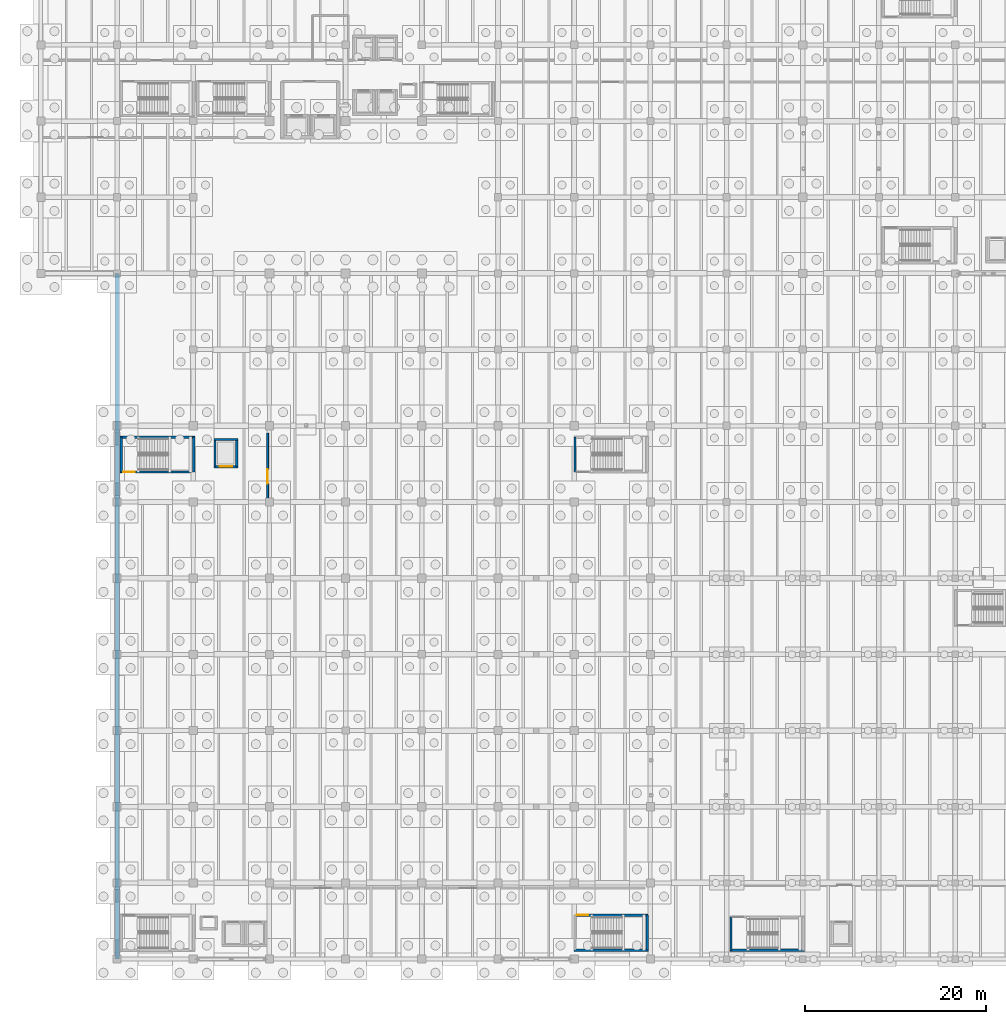
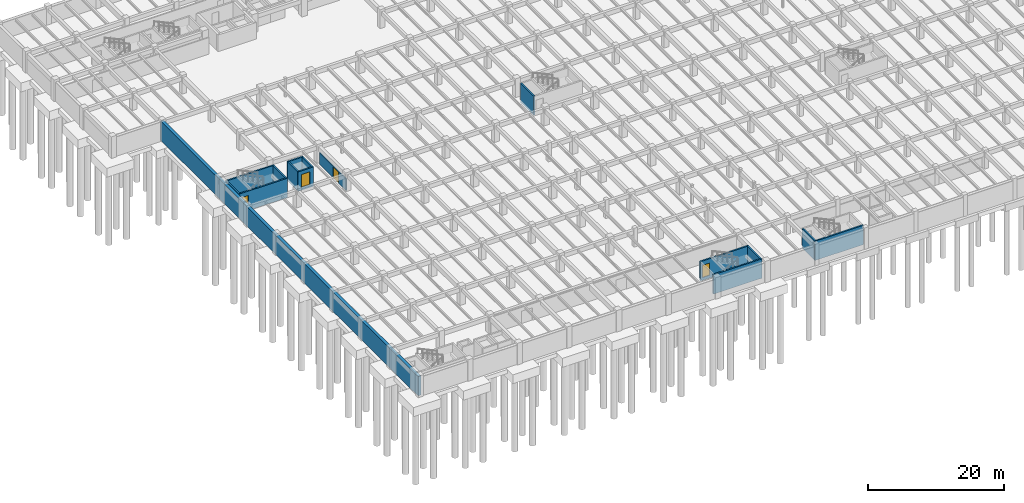
# One storey, part 42 of 70: 16 walls, 4 doors, 4 openings.
"""IFC4 building model written with IfcOpenShell, lengths in metres."""

from ifc_helpers import new_model, si_unit, direction, frame, frame_2d, origin, place, context, subcontext, project, spatial, rectangle, extrude, material, layer, layer_set, type_object, element, fill, save


model = new_model("IFC4")

# Units and contexts
model_context = context("Model", 3, precision=1e-05, world=origin(), true_north=direction((0.0, 1.0)))
body_context = subcontext(model_context, "Body", "Model", "MODEL_VIEW")
ifc_project = project(units=[si_unit("LENGTHUNIT", "METRE"), si_unit("AREAUNIT", "SQUARE_METRE"), si_unit("VOLUMEUNIT", "CUBIC_METRE"), si_unit("PLANEANGLEUNIT", "RADIAN"), si_unit("MASSUNIT", "GRAM", prefix="KILO")], contexts=[model_context])

# Site, building, storey
site_placement = place(None, origin())
site = spatial("IfcSite", under=ifc_project, at=site_placement, CompositionType="ELEMENT")
building_placement = place(site_placement, origin())
building = spatial("IfcBuilding", under=site, at=building_placement, Name="Cumbredor Promenade Congress Hotel", CompositionType="ELEMENT")
storey_placement = place(building_placement, frame((0.0, 0.0, -7.56005859375)))
storey = spatial("IfcBuildingStorey", under=building, at=storey_placement, Name="B02", CompositionType="ELEMENT", Elevation=-7.56005859375)

# Wall
ifc_material_1 = material(Name="Concrete C40/50", Category="concrete")
ifc_layer_1 = layer(ifc_material_1, 0.5, Name="Concrete C40/50", Category="concrete")
ifc_layer_set_1 = layer_set([ifc_layer_1], Name="Concrete C40/50")
wall_type_1 = type_object("IfcWallType", Name="Basement Retaining Wall 500mm", PredefinedType="USERDEFINED", material=ifc_layer_set_1)
wall_1_placement = place(storey_placement, frame((8.39990234375, 84.0, -0.5), z_axis=(0.0, 0.0, 1.0), x_axis=(0.0, -1.0, 0.0)))
element("IfcWall", 1, at=wall_1_placement, inside=storey, type_object=wall_type_1, Name="B02 Basement Retaining Wall RW-B02-08", ObjectType="RETAINING WALL", PredefinedType="USERDEFINED", context=body_context, shape_type="SweptSolid", body=[
    extrude(rectangle(XDim=75.60009765625, YDim=0.5, at=frame_2d((37.800048828125, 0.0))), origin(), (0.0, 0.0, 1.0), 3.4599609375),
])

# Wall, opening, door
ifc_layer_2 = layer(ifc_material_1, 0.199951171875, Name="Concrete C40/50", Category="concrete")
ifc_layer_set_2 = layer_set([ifc_layer_2], Name="Concrete C40/50")
wall_type_2 = type_object("IfcWallType", Name="WL-CORE-200", PredefinedType="SOLIDWALL", material=ifc_layer_set_2)
wall_2_placement = place(storey_placement, frame((25.0, 58.60009765625, 0.0), z_axis=(0.0, 0.0, 1.0), x_axis=(0.0, 1.0, 0.0)))
wall_2 = element("IfcWall", 2, at=wall_2_placement, inside=storey, type_object=wall_type_2, Name="B02 Interior Partition W-B02-ARCH-W", PredefinedType="SOLIDWALL", context=body_context, shape_type="SweptSolid", body=[
    extrude(rectangle(XDim=7.7998046875, YDim=0.199951171875, at=frame_2d((3.89990234375, 0.0))), origin(), (0.0, 0.0, 1.0), 2.094970703125),
])
opening_1_placement = place(wall_2_placement, frame((2.199951171875, 0.0, 0.0)))
opening_1 = element("IfcOpeningElement", 3, at=opening_1_placement, cuts=wall_2, Name="Opening FD-17", PredefinedType="OPENING", context=body_context, shape_type="SweptSolid", body=[
    extrude(rectangle(XDim=1.6201171875, YDim=2.02001953125, at=frame_2d((0.81005859375, 1.010009765625))), frame((0.0, 0.10986328125, 0.0), z_axis=(0.0, -1.0, 0.0), x_axis=(1.0, 0.0, 0.0)), (0.0, 0.0, 1.0), 0.219970703125),
])
ifc_material_2 = material(Name="Solid-core fire-rated tropical hardwood", Category="wood")
door_type_1 = type_object("IfcDoorType", Name="DR-DBL-FD60-1600-LO", OperationType="DOUBLE_DOOR_SINGLE_SWING", PredefinedType="DOOR", material=ifc_material_2)
door_1_placement = place(opening_1_placement, origin())
door_1 = element("IfcDoor", 4, at=door_1_placement, inside=storey, type_object=door_type_1, Name="B02 Interior Door W-B02-ARCH-W-01", OperationType="DOUBLE_DOOR_SINGLE_SWING", OverallHeight=2.02001953125, OverallWidth=1.6201171875, PredefinedType="DOOR", context=body_context, shape_type="SweptSolid", body=[
    extrude(rectangle(XDim=1.6201171875, YDim=2.02001953125, at=frame_2d((0.81005859375, 1.010009765625))), frame((0.0, 0.02490234375, 0.0), z_axis=(0.0, -1.0, 0.0), x_axis=(1.0, 0.0, 0.0)), (0.0, 0.0, 1.0), 0.050048828125),
])
fill(opening_1, door_1)

# Wall
ifc_layer_3 = layer(ifc_material_1, 0.2548828125, Name="Concrete C40/50", Category="concrete")
ifc_layer_set_3 = layer_set([ifc_layer_3], Name="Concrete C40/50")
wall_type_3 = type_object("IfcWallType", Name="WL-SHAFT-250", PredefinedType="SOLIDWALL", material=ifc_layer_set_3)
wall_3_placement = place(storey_placement, frame((58.75244140625, 9.3798828125, -0.5), z_axis=(0.0, 0.0, 1.0), x_axis=(1.0, 0.0, 0.0)))
element("IfcWall", 5, at=wall_3_placement, inside=storey, type_object=wall_type_3, Name="STAIR-ST-05-B02 Shaft Wall South", PredefinedType="SOLIDWALL", context=body_context, shape_type="SweptSolid", body=[
    extrude(rectangle(XDim=8.22509765625, YDim=0.2548828125, at=frame_2d((4.112548828125, 0.0))), origin(), (0.0, 0.0, 1.0), 3.4599609375),
])

# Wall, opening, door
wall_4_placement = place(storey_placement, frame((58.75244140625, 13.25, -0.5), z_axis=(0.0, 0.0, 1.0), x_axis=(1.0, 0.0, 0.0)))
wall_4 = element("IfcWall", 6, at=wall_4_placement, inside=storey, type_object=wall_type_3, Name="STAIR-ST-05-B02 Shaft Wall North", PredefinedType="SOLIDWALL", context=body_context, shape_type="SweptSolid", body=[
    extrude(rectangle(XDim=8.22509765625, YDim=0.2548828125, at=frame_2d((4.112548828125, 0.0))), origin(), (0.0, 0.0, 1.0), 3.4599609375),
])
opening_2_placement = place(wall_4_placement, frame((0.35009765625, 0.0, 0.5)))
opening_2 = element("IfcOpeningElement", 7, at=opening_2_placement, cuts=wall_4, Name="Opening SD-02", PredefinedType="OPENING", context=body_context, shape_type="SweptSolid", body=[
    extrude(rectangle(XDim=1.25, YDim=2.199951171875, at=frame_2d((0.625, 1.10009765625))), frame((0.0, 0.137451171875, 0.0), z_axis=(0.0, -1.0, 0.0), x_axis=(1.0, 0.0, 0.0)), (0.0, 0.0, 1.0), 0.27490234375),
])
ifc_material_3 = material(Name="Painted galvanized steel fire door", Category="steel")
door_type_2 = type_object("IfcDoorType", Name="DR-STAIR-FD90-1250", OperationType="NOTDEFINED", PredefinedType="DOOR", material=ifc_material_3)
door_2_placement = place(opening_2_placement, origin())
door_2 = element("IfcDoor", 8, at=door_2_placement, inside=storey, type_object=door_type_2, Name="B02 Protected Exit Stair ST-05 Door", OperationType="SINGLE_SWING_LEFT", OverallHeight=2.199951171875, OverallWidth=1.25, PredefinedType="DOOR", context=body_context, shape_type="SweptSolid", body=[
    extrude(rectangle(XDim=1.25, YDim=2.199951171875, at=frame_2d((0.625, 1.10009765625))), frame((0.0, 0.02490234375, 0.0), z_axis=(0.0, -1.0, 0.0), x_axis=(1.0, 0.0, 0.0)), (0.0, 0.0, 1.0), 0.050048828125),
])
fill(opening_2, door_2)

# Wall
wall_5_placement = place(storey_placement, frame((66.85009765625, 9.3798828125, -0.5), z_axis=(0.0, 0.0, 1.0), x_axis=(0.0, 1.0, 0.0)))
element("IfcWall", 9, at=wall_5_placement, inside=storey, type_object=wall_type_3, Name="STAIR-ST-05-B02 Shaft Wall East", PredefinedType="SOLIDWALL", context=body_context, shape_type="SweptSolid", body=[
    extrude(rectangle(XDim=3.8701171875, YDim=0.2548828125, at=frame_2d((1.93505859375, 0.0))), origin(), (0.0, 0.0, 1.0), 3.4599609375),
])

# Wall, opening, door
wall_6_placement = place(storey_placement, frame((8.75244140625, 62.10009765625, -0.5), z_axis=(0.0, 0.0, 1.0), x_axis=(1.0, 0.0, 0.0)))
wall_6 = element("IfcWall", 10, at=wall_6_placement, inside=storey, type_object=wall_type_3, Name="STAIR-ST-06-B02 Shaft Wall South", PredefinedType="SOLIDWALL", context=body_context, shape_type="SweptSolid", body=[
    extrude(rectangle(XDim=8.22509765625, YDim=0.2548828125, at=frame_2d((4.112548828125, 0.0))), origin(), (0.0, 0.0, 1.0), 3.4599609375),
])
opening_3_placement = place(wall_6_placement, frame((0.35009765625, 0.0, 0.5)))
opening_3 = element("IfcOpeningElement", 11, at=opening_3_placement, cuts=wall_6, Name="Opening SD-02", PredefinedType="OPENING", context=body_context, shape_type="SweptSolid", body=[
    extrude(rectangle(XDim=1.25, YDim=2.199951171875, at=frame_2d((0.625, 1.10009765625))), frame((0.0, 0.137451171875, 0.0), z_axis=(0.0, -1.0, 0.0), x_axis=(1.0, 0.0, 0.0)), (0.0, 0.0, 1.0), 0.27490234375),
])
door_3_placement = place(opening_3_placement, origin())
door_3 = element("IfcDoor", 12, at=door_3_placement, inside=storey, type_object=door_type_2, Name="B02 Protected Exit Stair ST-06 Door", OperationType="SINGLE_SWING_LEFT", OverallHeight=2.199951171875, OverallWidth=1.25, PredefinedType="DOOR", context=body_context, shape_type="SweptSolid", body=[
    extrude(rectangle(XDim=1.25, YDim=2.199951171875, at=frame_2d((0.625, 1.10009765625))), frame((0.0, 0.02490234375, 0.0), z_axis=(0.0, -1.0, 0.0), x_axis=(1.0, 0.0, 0.0)), (0.0, 0.0, 1.0), 0.050048828125),
])
fill(opening_3, door_3)

# Walls
wall_7_placement = place(storey_placement, frame((8.75244140625, 65.949951171875, -0.5), z_axis=(0.0, 0.0, 1.0), x_axis=(1.0, 0.0, 0.0)))
element("IfcWall", 13, at=wall_7_placement, inside=storey, type_object=wall_type_3, Name="STAIR-ST-06-B02 Shaft Wall North", PredefinedType="SOLIDWALL", context=body_context, shape_type="SweptSolid", body=[
    extrude(rectangle(XDim=8.22509765625, YDim=0.2548828125, at=frame_2d((4.112548828125, 0.0))), origin(), (0.0, 0.0, 1.0), 3.4599609375),
])
for number, where, z_axis, x_axis, name in (
    (14, (8.8798828125, 62.10009765625, -0.5), (0.0, 0.0, 1.0), (0.0, 1.0, 0.0), "STAIR-ST-06-B02 Shaft Wall West"),
    (15, (16.85009765625, 62.10009765625, -0.5), (0.0, 0.0, 1.0), (0.0, 1.0, 0.0), "STAIR-ST-06-B02 Shaft Wall East"),
    (16, (58.8798828125, 62.10009765625, -0.5), (0.0, 0.0, 1.0), (0.0, 1.0, 0.0), "STAIR-ST-07-B02 Shaft Wall West"),
):
    element("IfcWall", number, at=place(storey_placement, frame(where, z_axis=z_axis, x_axis=x_axis)), inside=storey, type_object=wall_type_3, Name=name, PredefinedType="SOLIDWALL", context=body_context, shape_type="SweptSolid", body=[
        extrude(rectangle(XDim=3.849853515625, YDim=0.2548828125, at=frame_2d((1.9248046875, 0.0))), origin(), (0.0, 0.0, 1.0), 3.4599609375),
    ])
wall_8_placement = place(storey_placement, frame((75.952392578125, 9.3798828125, -0.5), z_axis=(0.0, 0.0, 1.0), x_axis=(1.0, 0.0, 0.0)))
element("IfcWall", 17, at=wall_8_placement, inside=storey, type_object=wall_type_3, Name="STAIR-ST-11-B02 Shaft Wall South", PredefinedType="SOLIDWALL", context=body_context, shape_type="SweptSolid", body=[
    extrude(rectangle(XDim=8.22509765625, YDim=0.2548828125, at=frame_2d((4.112548828125, 0.0))), origin(), (0.0, 0.0, 1.0), 3.4599609375),
])
wall_9_placement = place(storey_placement, frame((76.080078125, 9.3798828125, -0.5), z_axis=(0.0, 0.0, 1.0), x_axis=(0.0, 1.0, 0.0)))
element("IfcWall", 18, at=wall_9_placement, inside=storey, type_object=wall_type_3, Name="STAIR-ST-11-B02 Shaft Wall West", PredefinedType="SOLIDWALL", context=body_context, shape_type="SweptSolid", body=[
    extrude(rectangle(XDim=3.670166015625, YDim=0.2548828125, at=frame_2d((1.8349609375, 0.0))), origin(), (0.0, 0.0, 1.0), 3.4599609375),
])

# Wall, opening, door
wall_10_placement = place(storey_placement, frame((19.072509765625, 62.699951171875, -0.5), z_axis=(0.0, 0.0, 1.0), x_axis=(1.0, 0.0, 0.0)))
wall_10 = element("IfcWall", 19, at=wall_10_placement, inside=storey, type_object=wall_type_3, Name="SHAFT-SV-01-B02 Shaft Wall South", PredefinedType="SOLIDWALL", context=body_context, shape_type="SweptSolid", body=[
    extrude(rectangle(XDim=2.655029296875, YDim=0.2548828125, at=frame_2d((1.32763671875, 0.0))), origin(), (0.0, 0.0, 1.0), 3.4599609375),
])
opening_4_placement = place(wall_10_placement, frame((0.62744140625, 0.0, 0.5)))
opening_4 = element("IfcOpeningElement", 20, at=opening_4_placement, cuts=wall_10, Name="Opening LD-03", PredefinedType="OPENING", context=body_context, shape_type="SweptSolid", body=[
    extrude(rectangle(XDim=1.39990234375, YDim=2.300048828125, at=frame_2d((0.699951171875, 1.14990234375))), frame((0.0, 0.137451171875, 0.0), z_axis=(0.0, -1.0, 0.0), x_axis=(1.0, 0.0, 0.0)), (0.0, 0.0, 1.0), 0.27490234375),
])
ifc_material_4 = material(Name="Brushed stainless steel", Category="steel")
door_type_3 = type_object("IfcDoorType", Name="Service Lift Sliding Door LD-03 1400x2300", OperationType="DOUBLE_DOOR_SLIDING", PredefinedType="DOOR", material=ifc_material_4)
door_4_placement = place(opening_4_placement, origin())
door_4 = element("IfcDoor", 21, at=door_4_placement, inside=storey, type_object=door_type_3, Name="B02 Plenary Stage Goods Lift SV-01 Sliding Landing Door", OperationType="DOUBLE_DOOR_SLIDING", OverallHeight=2.300048828125, OverallWidth=1.39990234375, PredefinedType="DOOR", context=body_context, shape_type="SweptSolid", body=[
    extrude(rectangle(XDim=1.39990234375, YDim=2.300048828125, at=frame_2d((0.699951171875, 1.14990234375))), frame((0.0, 0.02490234375, 0.0), z_axis=(0.0, -1.0, 0.0), x_axis=(1.0, 0.0, 0.0)), (0.0, 0.0, 1.0), 0.050048828125),
])
fill(opening_4, door_4)

# Walls
wall_11_placement = place(storey_placement, frame((19.072509765625, 65.699951171875, -0.5), z_axis=(0.0, 0.0, 1.0), x_axis=(1.0, 0.0, 0.0)))
element("IfcWall", 22, at=wall_11_placement, inside=storey, type_object=wall_type_3, Name="SHAFT-SV-01-B02 Shaft Wall North", PredefinedType="SOLIDWALL", context=body_context, shape_type="SweptSolid", body=[
    extrude(rectangle(XDim=2.655029296875, YDim=0.2548828125, at=frame_2d((1.32763671875, 0.0))), origin(), (0.0, 0.0, 1.0), 3.4599609375),
])
for number, where, z_axis, x_axis, name in (
    (23, (19.199951171875, 62.699951171875, -0.5), (0.0, 0.0, 1.0), (0.0, 1.0, 0.0), "SHAFT-SV-01-B02 Shaft Wall West"),
    (24, (21.60009765625, 62.699951171875, -0.5), (0.0, 0.0, 1.0), (0.0, 1.0, 0.0), "SHAFT-SV-01-B02 Shaft Wall East"),
):
    element("IfcWall", number, at=place(storey_placement, frame(where, z_axis=z_axis, x_axis=x_axis)), inside=storey, type_object=wall_type_3, Name=name, PredefinedType="SOLIDWALL", context=body_context, shape_type="SweptSolid", body=[
        extrude(rectangle(XDim=3.0, YDim=0.2548828125, at=frame_2d((1.5, 0.0))), origin(), (0.0, 0.0, 1.0), 3.4599609375),
    ])

save(model, "model.ifc")
